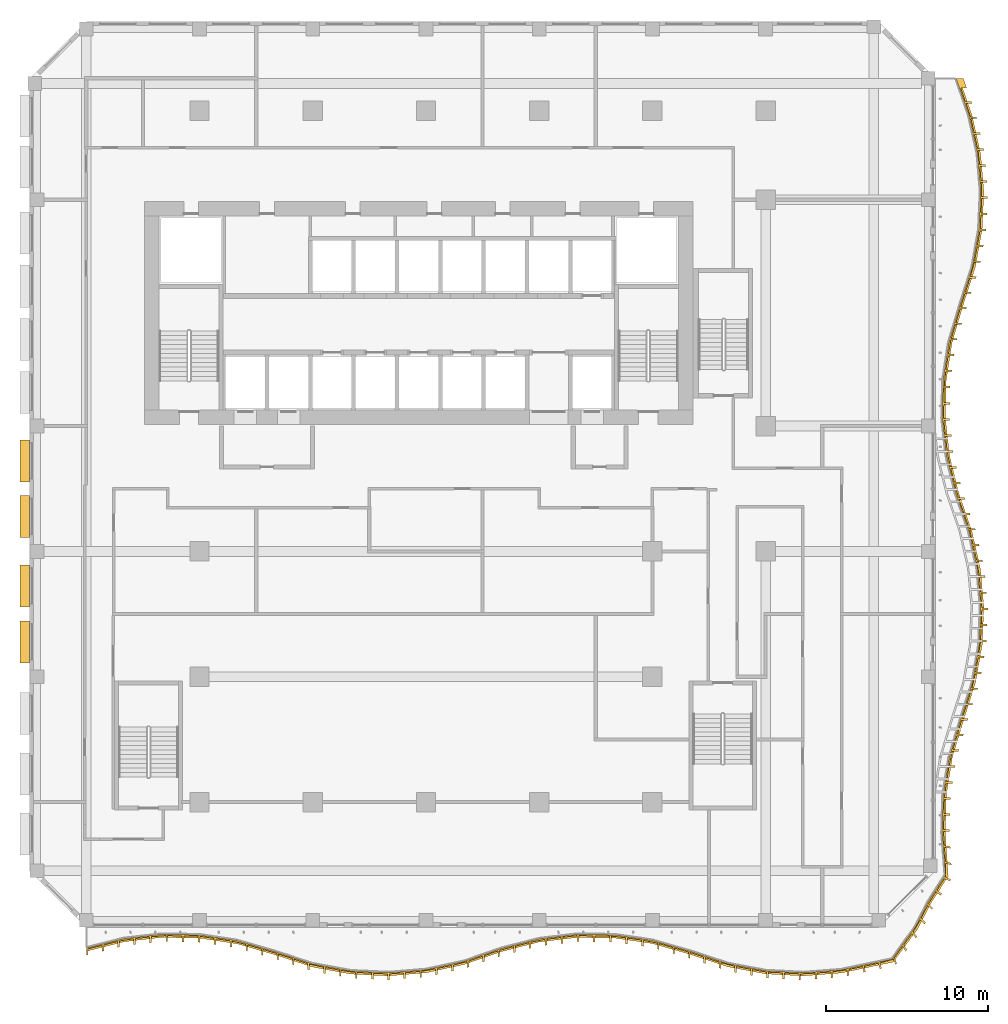
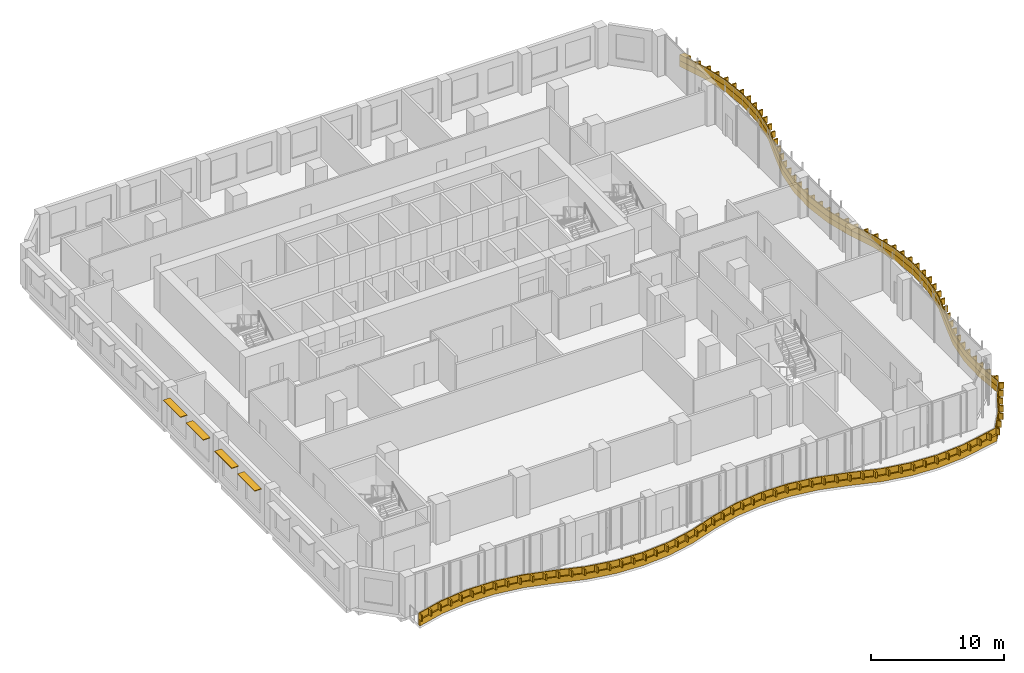
# One storey, part 20 of 25: 6 shading devices.
"""IFC4 building model written with IfcOpenShell, lengths in metres."""

from ifc_helpers import new_model, si_unit, direction, frame, origin, origin_2d, place, context, subcontext, project, spatial, polyline, rectangle, outline, extrude, source, transform, mapped, material, layer, layer_set, type_object, element, save


model = new_model("IFC4")

# Units and contexts
model_context = context("Model", 3, precision=1e-05, world=origin(), true_north=direction((0.0, 1.0)))
body_context = subcontext(model_context, "Body", "Model", "MODEL_VIEW")
ifc_project = project(units=[si_unit("LENGTHUNIT", "METRE"), si_unit("AREAUNIT", "SQUARE_METRE"), si_unit("VOLUMEUNIT", "CUBIC_METRE"), si_unit("PLANEANGLEUNIT", "RADIAN"), si_unit("MASSUNIT", "GRAM", prefix="KILO")], contexts=[model_context])

# Site, building, storey
site_placement = place(None, origin())
site = spatial("IfcSite", under=ifc_project, at=site_placement, CompositionType="ELEMENT")
building_placement = place(site_placement, origin())
building = spatial("IfcBuilding", under=site, at=building_placement, Name="Kilnfold Tower and Market Hall", CompositionType="ELEMENT")
storey_placement = place(building_placement, frame((0.0, 0.0, 120.60009765625)))
storey = spatial("IfcBuildingStorey", under=building, at=storey_placement, Name="L28", CompositionType="ELEMENT", Elevation=120.60009765625)

# Shading devices
ifc_material_1 = material(Name="Terracotta", Category="masonry")
ifc_layer_1 = layer(ifc_material_1, 0.06005859375)
ifc_layer_set_1 = layer_set([ifc_layer_1], Name="Terracotta")
shading_device_type_1 = type_object("IfcShadingDeviceType", Name="SUNSHADE BLADE 600", PredefinedType="USERDEFINED", material=ifc_layer_set_1)
shared_shape_1 = source(origin(), body_context, "Body", "SweptSolid", [
    extrude(rectangle(XDim=2.60009765625, YDim=0.60009765625, at=origin_2d()), origin(), (0.0, 0.0, 1.0), 0.06005859375),
])
for number, where, z_axis, x_axis, name in (
    (1, (-23.300048828125, 5.85009765625, 3.02978515625), (0.0, 0.0, 1.0), (0.0, -1.0, 0.0), "Sunshade L28 W"),
    (2, (-23.300048828125, 2.39990234375, 3.02978515625), (0.0, 0.0, 1.0), (0.0, -1.0, 0.0), "Sunshade L28 W"),
    (3, (-23.300048828125, -1.89990234375, 3.02978515625), (0.0, 0.0, 1.0), (0.0, -1.0, 0.0), "Sunshade L28 W"),
    (4, (-23.300048828125, -5.35009765625, 3.02978515625), (0.0, 0.0, 1.0), (0.0, -1.0, 0.0), "Sunshade L28 W"),
):
    element("IfcShadingDevice", number, at=place(storey_placement, frame(where, z_axis=z_axis, x_axis=x_axis)), inside=storey, type_object=shading_device_type_1, Name=name, ObjectType="SUNSHADE", PredefinedType="USERDEFINED", context=body_context, shape_type="MappedRepresentation", body=[
        mapped(shared_shape_1, transform((0.0, 0.0, 0.0))),
    ])
ifc_material_2 = material(Name="Precast concrete C50/60", Category="concrete")
ifc_layer_2 = layer(ifc_material_2, 0.550048828125)
ifc_layer_set_2 = layer_set([ifc_layer_2], Name="Precast concrete C50/60")
shading_device_type_2 = type_object("IfcShadingDeviceType", Name="BALCONY UPSTAND 550", PredefinedType="USERDEFINED", material=ifc_layer_set_2)
shared_shape_2 = source(origin(), body_context, "Body", "SweptSolid", [
    extrude(outline(polyline([(-19.5, -24.473388671875), (-17.166748046875, -23.885986328125), (-14.833251953125, -23.6201171875), (-12.5, -23.661865234375), (-10.166748046875, -24.01318359375), (-7.833251953125, -24.693359375), (-5.5, -25.453369140625), (-3.166748046875, -25.8818359375), (-0.833251953125, -25.997802734375), (1.5, -25.807373046875), (3.833251953125, -25.300048828125), (6.166748046875, -24.49658203125), (8.5, -23.898681640625), (10.833251953125, -23.623779296875), (13.166748046875, -23.656005859375), (15.5, -23.997802734375), (17.833251953125, -24.66748046875), (20.166748046875, -25.435302734375), (22.5, -25.87353515625), (24.833251953125, -25.998779296875), (27.166748046875, -25.817626953125), (30.387939453125, -25.143798828125), (31.9140625, -23.08056640625), (32.701171875, -21.534423828125), (33.79541015625, -19.829345703125), (33.614013671875, -17.166748046875), (33.67431640625, -14.833251953125), (34.044677734375, -12.5), (34.74609375, -10.166748046875), (35.488525390625, -7.833251953125), (35.897705078125, -5.5), (35.9951171875, -3.166748046875), (35.78564453125, -0.833251953125), (35.258544921875, 1.5), (34.450439453125, 3.833251953125), (33.873291015625, 6.166748046875), (33.616943359375, 8.5), (33.66796875, 10.833251953125), (34.02880859375, 13.166748046875), (34.719482421875, 15.5), (35.47119140625, 17.833251953125), (35.889892578125, 20.166748046875), (35.99658203125, 22.5), (35.796630859375, 24.833251953125), (35.279541015625, 27.166748046875), (34.473388671875, 29.5), (34.2734375, 29.5), (35.07958984375, 27.166748046875), (35.5966796875, 24.833251953125), (35.79638671875, 22.5), (35.68994140625, 20.166748046875), (35.27099609375, 17.833251953125), (34.51953125, 15.5), (33.828857421875, 13.166748046875), (33.468017578125, 10.833251953125), (33.4169921875, 8.5), (33.673095703125, 6.166748046875), (34.25048828125, 3.833251953125), (35.05859375, 1.5), (35.585693359375, -0.833251953125), (35.794921875, -3.166748046875), (35.697509765625, -5.5), (35.28857421875, -7.833251953125), (34.546142578125, -10.166748046875), (33.8447265625, -12.5), (33.47412109375, -14.833251953125), (33.4140625, -17.166748046875), (33.610595703125, -19.7529296875), (32.559814453125, -21.39306640625), (31.772705078125, -22.939208984375), (30.3115234375, -24.958984375), (27.166748046875, -25.61767578125), (24.833251953125, -25.798583984375), (22.5, -25.673583984375), (20.166748046875, -25.235107421875), (17.833251953125, -24.467529296875), (15.5, -23.7978515625), (13.166748046875, -23.4560546875), (10.833251953125, -23.423583984375), (8.5, -23.69873046875), (6.166748046875, -24.29638671875), (3.833251953125, -25.10009765625), (1.5, -25.607421875), (-0.833251953125, -25.7978515625), (-3.166748046875, -25.681884765625), (-5.5, -25.25341796875), (-7.833251953125, -24.493408203125), (-10.166748046875, -23.81298828125), (-12.5, -23.4619140625), (-14.833251953125, -23.420166015625), (-17.166748046875, -23.685791015625), (-19.5, -24.2734375), (-19.5, -24.473388671875)])), origin(), (0.0, 0.0, 1.0), 0.5498046875),
])
shading_device_1_placement = place(storey_placement, origin())
element("IfcShadingDevice", 5, at=shading_device_1_placement, inside=storey, type_object=shading_device_type_2, Name="Balcony fascia L28", ObjectType="FASCIA", PredefinedType="USERDEFINED", context=body_context, shape_type="MappedRepresentation", body=[
    mapped(shared_shape_2, transform((0.0, 0.0, 0.0))),
])
ifc_material_3 = material(Name="Bronze anodised aluminium", Category="aluminium")
ifc_layer_3 = layer(ifc_material_3, 0.550048828125)
ifc_layer_set_3 = layer_set([ifc_layer_3], Name="Bronze anodised aluminium")
shading_device_type_3 = type_object("IfcShadingDeviceType", Name="BRONZE SLAT FASCIA 550", PredefinedType="USERDEFINED", material=ifc_layer_set_3)
shared_shape_3 = source(origin(), body_context, "Body", "SweptSolid", [
    extrude(outline(polyline([(-19.5, -24.723388671875), (-19.5, -24.2734375), (-17.166748046875, -23.685791015625), (-14.833251953125, -23.420166015625), (-12.5, -23.4619140625), (-10.166748046875, -23.81298828125), (-7.833251953125, -24.493408203125), (-5.5, -25.25341796875), (-3.166748046875, -25.681884765625), (-0.833251953125, -25.7978515625), (1.5, -25.607421875), (3.833251953125, -25.10009765625), (6.166748046875, -24.29638671875), (8.5, -23.69873046875), (10.833251953125, -23.423583984375), (13.166748046875, -23.4560546875), (15.5, -23.7978515625), (17.833251953125, -24.467529296875), (20.166748046875, -25.235107421875), (22.5, -25.673583984375), (24.833251953125, -25.798583984375), (27.166748046875, -25.61767578125), (30.3115234375, -24.958984375), (31.772705078125, -22.939208984375), (32.559814453125, -21.39306640625), (33.610595703125, -19.7529296875), (33.4140625, -17.166748046875), (33.47412109375, -14.833251953125), (33.8447265625, -12.5), (34.546142578125, -10.166748046875), (35.28857421875, -7.833251953125), (35.697509765625, -5.5), (35.794921875, -3.166748046875), (35.585693359375, -0.833251953125), (35.05859375, 1.5), (34.25048828125, 3.833251953125), (33.673095703125, 6.166748046875), (33.4169921875, 8.5), (33.468017578125, 10.833251953125), (33.828857421875, 13.166748046875), (34.51953125, 15.5), (35.27099609375, 17.833251953125), (35.68994140625, 20.166748046875), (35.79638671875, 22.5), (35.5966796875, 24.833251953125), (35.07958984375, 27.166748046875), (34.2734375, 29.5), (34.723388671875, 29.5), (34.931640625, 28.8974609375), (34.5615234375, 28.8974609375), (34.848876953125, 28.065673828125), (35.218994140625, 28.065673828125), (35.258056640625, 27.9521484375), (34.88818359375, 27.9521484375), (35.170166015625, 27.118896484375), (35.5400390625, 27.118896484375), (35.566162109375, 27.001708984375), (35.196044921875, 27.001708984375), (35.386474609375, 26.142578125), (35.756591796875, 26.142578125), (35.782470703125, 26.025390625), (35.412353515625, 26.025390625), (35.602783203125, 25.166259765625), (35.972900390625, 25.166259765625), (35.998779296875, 25.049072265625), (35.62890625, 25.049072265625), (35.73291015625, 24.1767578125), (36.102783203125, 24.1767578125), (36.113037109375, 24.05712890625), (35.7431640625, 24.05712890625), (35.818115234375, 23.180419921875), (36.188232421875, 23.180419921875), (36.198486328125, 23.060791015625), (35.82861328125, 23.060791015625), (35.862060546875, 22.18310546875), (36.23193359375, 22.18310546875), (36.2265625, 22.0634765625), (35.856689453125, 22.0634765625), (35.81640625, 21.184326171875), (36.186279296875, 21.184326171875), (36.180908203125, 21.064453125), (35.810791015625, 21.064453125), (35.770751953125, 20.185302734375), (36.140869140625, 20.185302734375), (36.139892578125, 20.166748046875), (36.1220703125, 20.06689453125), (35.751953125, 20.06689453125), (35.596435546875, 19.20068359375), (35.966552734375, 19.20068359375), (35.9453125, 19.082763671875), (35.5751953125, 19.082763671875), (35.419921875, 18.216552734375), (35.789794921875, 18.216552734375), (35.768798828125, 18.098388671875), (35.398681640625, 18.098388671875), (35.163818359375, 17.251953125), (35.533935546875, 17.251953125), (35.4970703125, 17.1376953125), (35.127197265625, 17.1376953125), (34.857421875, 16.30029296875), (35.227294921875, 16.30029296875), (35.1904296875, 16.18603515625), (34.820556640625, 16.18603515625), (34.554443359375, 15.34716796875), (34.92431640625, 15.34716796875), (34.890380859375, 15.232177734375), (34.520263671875, 15.232177734375), (34.2705078125, 14.38818359375), (34.640380859375, 14.38818359375), (34.6064453125, 14.273193359375), (34.236328125, 14.273193359375), (33.986572265625, 13.429443359375), (34.356689453125, 13.429443359375), (34.322509765625, 13.314453125), (33.952392578125, 13.314453125), (33.7978515625, 12.44921875), (34.167724609375, 12.44921875), (34.1494140625, 12.330810546875), (33.779541015625, 12.330810546875), (33.64501953125, 11.4609375), (34.014892578125, 11.4609375), (33.99658203125, 11.342529296875), (33.626708984375, 11.342529296875), (33.539794921875, 10.468505859375), (33.909912109375, 10.468505859375), (33.9072265625, 10.3486328125), (33.537353515625, 10.3486328125), (33.51806640625, 9.46875), (33.88818359375, 9.46875), (33.885498046875, 9.348876953125), (33.515380859375, 9.348876953125), (33.50048828125, 8.46923828125), (33.870361328125, 8.46923828125), (33.883544921875, 8.35009765625), (33.513427734375, 8.35009765625), (33.609619140625, 7.47509765625), (33.9794921875, 7.47509765625), (33.99267578125, 7.35595703125), (33.62255859375, 7.35595703125), (33.71875, 6.481201171875), (34.088623046875, 6.481201171875), (34.101806640625, 6.36181640625), (33.731689453125, 6.36181640625), (33.91748046875, 5.503173828125), (34.287353515625, 5.503173828125), (34.316162109375, 5.38671875), (33.9462890625, 5.38671875), (34.157470703125, 4.532470703125), (34.527587890625, 4.532470703125), (34.556396484375, 4.416015625), (34.186279296875, 4.416015625), (34.422119140625, 3.56884765625), (34.7919921875, 3.56884765625), (34.831298828125, 3.45556640625), (34.46142578125, 3.45556640625), (34.749267578125, 2.623779296875), (35.119384765625, 2.623779296875), (35.15869140625, 2.510498046875), (34.78857421875, 2.510498046875), (35.07666015625, 1.678955078125), (35.446533203125, 1.678955078125), (35.48583984375, 1.565673828125), (35.115966796875, 1.565673828125), (35.317138671875, 0.709228515625), (35.687255859375, 0.709228515625), (35.713623046875, 0.59228515625), (35.34375, 0.59228515625), (35.53759765625, -0.26611328125), (35.90771484375, -0.26611328125), (35.93408203125, -0.383056640625), (35.56396484375, -0.383056640625), (35.703125, -1.25), (36.072998046875, -1.25), (36.083740234375, -1.36962890625), (35.7138671875, -1.36962890625), (35.79248046875, -2.24609375), (36.162353515625, -2.24609375), (36.173095703125, -2.365478515625), (35.802978515625, -2.365478515625), (35.871826171875, -3.242431640625), (36.24169921875, -3.242431640625), (36.23681640625, -3.3623046875), (35.86669921875, -3.3623046875), (35.830078125, -4.241455078125), (36.2001953125, -4.241455078125), (36.195068359375, -4.361328125), (35.8251953125, -4.361328125), (35.788330078125, -5.240478515625), (36.158447265625, -5.240478515625), (36.1533203125, -5.360595703125), (35.783447265625, -5.360595703125), (35.64990234375, -6.229248046875), (36.019775390625, -6.229248046875), (35.9990234375, -6.347412109375), (35.62890625, -6.347412109375), (35.47705078125, -7.21435546875), (35.84716796875, -7.21435546875), (35.826416015625, -7.33251953125), (35.456298828125, -7.33251953125), (35.255859375, -8.187255859375), (35.6259765625, -8.187255859375), (35.589599609375, -8.3017578125), (35.219482421875, -8.3017578125), (34.95263671875, -9.14013671875), (35.32275390625, -9.14013671875), (35.286376953125, -9.254638671875), (34.916259765625, -9.254638671875), (34.6494140625, -10.09326171875), (35.01953125, -10.09326171875), (34.98388671875, -10.207763671875), (34.61376953125, -10.207763671875), (34.3603515625, -11.050537109375), (34.73046875, -11.050537109375), (34.69580078125, -11.165283203125), (34.325927734375, -11.165283203125), (34.072509765625, -12.008056640625), (34.442626953125, -12.008056640625), (34.407958984375, -12.123046875), (34.0380859375, -12.123046875), (33.848388671875, -12.98046875), (34.218505859375, -12.98046875), (34.19970703125, -13.098876953125), (33.82958984375, -13.098876953125), (33.691650390625, -13.968017578125), (34.0615234375, -13.968017578125), (34.042724609375, -14.08642578125), (33.6728515625, -14.08642578125), (33.551025390625, -14.95703125), (33.9208984375, -14.95703125), (33.91796875, -15.0771484375), (33.5478515625, -15.0771484375), (33.525146484375, -15.956787109375), (33.895263671875, -15.956787109375), (33.89208984375, -16.07666015625), (33.522216796875, -16.07666015625), (33.49951171875, -16.956298828125), (33.869384765625, -16.956298828125), (33.8662109375, -17.076416015625), (33.496337890625, -17.076416015625), (33.54833984375, -17.940673828125), (33.912109375, -17.98291015625), (33.919189453125, -18.10693359375), (33.556884765625, -18.058349609375), (33.61962890625, -18.9208984375), (33.972900390625, -19.016357421875), (33.97998046875, -19.140380859375), (33.62841796875, -19.03857421875), (33.620361328125, -19.882568359375), (33.957763671875, -20.031494140625), (33.889892578125, -20.137451171875), (33.556640625, -19.981201171875), (33.091552734375, -20.703857421875), (33.39111328125, -20.913330078125), (33.322998046875, -21.01904296875), (33.028564453125, -20.802490234375), (32.5732421875, -21.5341796875), (32.8349609375, -21.7958984375), (32.780517578125, -21.902587890625), (32.518798828125, -21.64111328125), (32.119384765625, -22.42529296875), (32.381103515625, -22.68701171875), (32.326904296875, -22.7939453125), (32.065185546875, -22.5322265625), (31.619873046875, -23.280517578125), (31.865478515625, -23.554443359375), (31.790283203125, -23.6533203125), (31.550048828125, -23.375732421875), (31.039794921875, -24.073486328125), (31.239013671875, -24.37939453125), (31.1640625, -24.478515625), (30.970458984375, -24.168701171875), (30.461181640625, -24.868408203125), (30.61279296875, -25.20458984375), (30.53759765625, -25.3037109375), (30.391845703125, -24.964111328125), (29.57568359375, -25.191650390625), (29.68359375, -25.541748046875), (29.562744140625, -25.567138671875), (29.4599609375, -25.215576171875), (28.61083984375, -25.392822265625), (28.67578125, -25.75244140625), (28.5546875, -25.777587890625), (28.4951171875, -25.417236328125), (27.646484375, -25.595947265625), (27.66796875, -25.962890625), (27.546875, -25.98828125), (27.53076171875, -25.62060546875), (26.66552734375, -25.736572265625), (26.66552734375, -26.1064453125), (26.5458984375, -26.11572265625), (26.5458984375, -25.745849609375), (25.66845703125, -25.81396484375), (25.66845703125, -26.183837890625), (25.548828125, -26.193115234375), (25.548828125, -25.8232421875), (24.671142578125, -25.8701171875), (24.671142578125, -26.239990234375), (24.551513671875, -26.233642578125), (24.551513671875, -25.863525390625), (23.672607421875, -25.81640625), (23.672607421875, -26.186279296875), (23.552734375, -26.179931640625), (23.552734375, -25.81005859375), (22.674072265625, -25.7626953125), (22.674072265625, -26.1328125), (22.55419921875, -26.12646484375), (22.55419921875, -25.75634765625), (21.6884765625, -25.60107421875), (21.6884765625, -25.97119140625), (21.570556640625, -25.948974609375), (21.570556640625, -25.578857421875), (20.705810546875, -25.41650390625), (20.705810546875, -25.78662109375), (20.587890625, -25.764404296875), (20.587890625, -25.394287109375), (19.73779296875, -25.174072265625), (19.73779296875, -25.544189453125), (19.623779296875, -25.506591796875), (19.623779296875, -25.13671875), (18.787841796875, -24.861572265625), (18.787841796875, -25.231689453125), (18.673828125, -25.194091796875), (18.673828125, -24.82421875), (17.837890625, -24.549072265625), (17.837890625, -24.919189453125), (17.72265625, -24.8857421875), (17.72265625, -24.515869140625), (16.876708984375, -24.27294921875), (16.876708984375, -24.64306640625), (16.761474609375, -24.60986328125), (16.761474609375, -24.239990234375), (15.91552734375, -23.9970703125), (15.91552734375, -24.3671875), (15.80029296875, -24.333984375), (15.80029296875, -23.964111328125), (14.9384765625, -23.795654296875), (14.9384765625, -24.16552734375), (14.819580078125, -24.148193359375), (14.819580078125, -23.7783203125), (13.948974609375, -23.650634765625), (13.948974609375, -24.020751953125), (13.830078125, -24.00341796875), (13.830078125, -23.63330078125), (12.957275390625, -23.533203125), (12.957275390625, -23.9033203125), (12.83740234375, -23.901611328125), (12.83740234375, -23.531494140625), (11.95751953125, -23.519287109375), (11.95751953125, -23.889404296875), (11.83740234375, -23.8876953125), (11.83740234375, -23.517578125), (10.95751953125, -23.50537109375), (10.95751953125, -23.87548828125), (10.83740234375, -23.873779296875), (10.83740234375, -23.50390625), (9.96337890625, -23.606201171875), (9.96337890625, -23.976318359375), (9.844482421875, -23.990234375), (9.844482421875, -23.620361328125), (8.970458984375, -23.723388671875), (8.970458984375, -24.09326171875), (8.851318359375, -24.107421875), (8.851318359375, -23.7373046875), (7.989990234375, -23.909423828125), (7.989990234375, -24.279296875), (7.873779296875, -24.30908203125), (7.873779296875, -23.939208984375), (7.021484375, -24.15771484375), (7.021484375, -24.527587890625), (6.9052734375, -24.557373046875), (6.9052734375, -24.187255859375), (6.055419921875, -24.414794921875), (6.055419921875, -24.784912109375), (5.94189453125, -24.823974609375), (5.94189453125, -24.453857421875), (5.10986328125, -24.740478515625), (5.10986328125, -25.1103515625), (4.99658203125, -25.1494140625), (4.99658203125, -24.779541015625), (4.164306640625, -25.066162109375), (4.164306640625, -25.43603515625), (4.051025390625, -25.47509765625), (4.051025390625, -25.10498046875), (3.1982421875, -25.318115234375), (3.1982421875, -25.68798828125), (3.0810546875, -25.713623046875), (3.0810546875, -25.343505859375), (2.22119140625, -25.530517578125), (2.22119140625, -25.900390625), (2.10400390625, -25.926025390625), (2.10400390625, -25.555908203125), (1.239013671875, -25.70849609375), (1.239013671875, -26.07861328125), (1.119384765625, -26.08837890625), (1.119384765625, -25.718505859375), (0.2421875, -25.7900390625), (0.2421875, -26.159912109375), (0.12255859375, -26.169921875), (0.12255859375, -25.7998046875), (-0.75439453125, -25.871337890625), (-0.75439453125, -26.241455078125), (-0.833251953125, -26.247802734375), (-0.874267578125, -26.245849609375), (-0.874267578125, -25.875732421875), (-1.753173828125, -25.83203125), (-1.753173828125, -26.2021484375), (-1.872802734375, -26.196044921875), (-1.872802734375, -25.826171875), (-2.751953125, -25.782470703125), (-2.751953125, -26.15234375), (-2.87158203125, -26.146484375), (-2.87158203125, -25.776611328125), (-3.74169921875, -25.65625), (-3.74169921875, -26.026123046875), (-3.85986328125, -26.00439453125), (-3.85986328125, -25.634521484375), (-4.725341796875, -25.4755859375), (-4.725341796875, -25.845703125), (-4.84326171875, -25.823974609375), (-4.84326171875, -25.453857421875), (-5.701904296875, -25.267578125), (-5.701904296875, -25.637451171875), (-5.81591796875, -25.600341796875), (-5.81591796875, -25.23046875), (-6.652587890625, -24.9580078125), (-6.652587890625, -25.327880859375), (-6.766845703125, -25.290771484375), (-6.766845703125, -24.920654296875), (-7.603515625, -24.648193359375), (-7.603515625, -25.018310546875), (-7.7177734375, -24.981201171875), (-7.7177734375, -24.611083984375), (-8.561279296875, -24.361083984375), (-8.561279296875, -24.731201171875), (-8.676513671875, -24.697509765625), (-8.676513671875, -24.327392578125), (-9.521484375, -24.081298828125), (-9.521484375, -24.451171875), (-9.63671875, -24.41748046875), (-9.63671875, -24.047607421875), (-10.490966796875, -23.84423828125), (-10.490966796875, -24.21435546875), (-10.609619140625, -24.1962890625), (-10.609619140625, -23.826416015625), (-11.479736328125, -23.695556640625), (-11.479736328125, -24.0654296875), (-11.598388671875, -24.047607421875), (-11.598388671875, -23.677490234375), (-12.468505859375, -23.546630859375), (-12.468505859375, -23.91650390625), (-12.58837890625, -23.910400390625), (-12.58837890625, -23.540283203125), (-13.468017578125, -23.524658203125), (-13.468017578125, -23.89453125), (-13.588134765625, -23.892578125), (-13.588134765625, -23.5224609375), (-14.468017578125, -23.506591796875), (-14.468017578125, -23.876708984375), (-14.587890625, -23.87451171875), (-14.587890625, -23.504638671875), (-15.4638671875, -23.572021484375), (-15.4638671875, -23.94189453125), (-15.5830078125, -23.95556640625), (-15.5830078125, -23.585693359375), (-16.45751953125, -23.68505859375), (-16.45751953125, -24.05517578125), (-16.57666015625, -24.068603515625), (-16.57666015625, -23.69873046875), (-17.444091796875, -23.835693359375), (-17.444091796875, -24.205810546875), (-17.560546875, -24.235107421875), (-17.560546875, -23.864990234375), (-18.413818359375, -24.079833984375), (-18.413818359375, -24.449951171875), (-18.5302734375, -24.479248046875), (-18.5302734375, -24.109130859375), (-19.383544921875, -24.32421875), (-19.383544921875, -24.694091796875), (-19.5, -24.723388671875)])), origin(), (0.0, 0.0, 1.0), 0.550048828125),
])
shading_device_2_placement = place(storey_placement, frame((0.0, 0.0, 0.5498046875)))
element("IfcShadingDevice", 6, at=shading_device_2_placement, inside=storey, type_object=shading_device_type_3, Name="Balcony slat fascia L28", ObjectType="SLAT", PredefinedType="USERDEFINED", context=body_context, shape_type="MappedRepresentation", body=[
    mapped(shared_shape_3, transform((0.0, 0.0, 0.0))),
])

save(model, "model.ifc")
